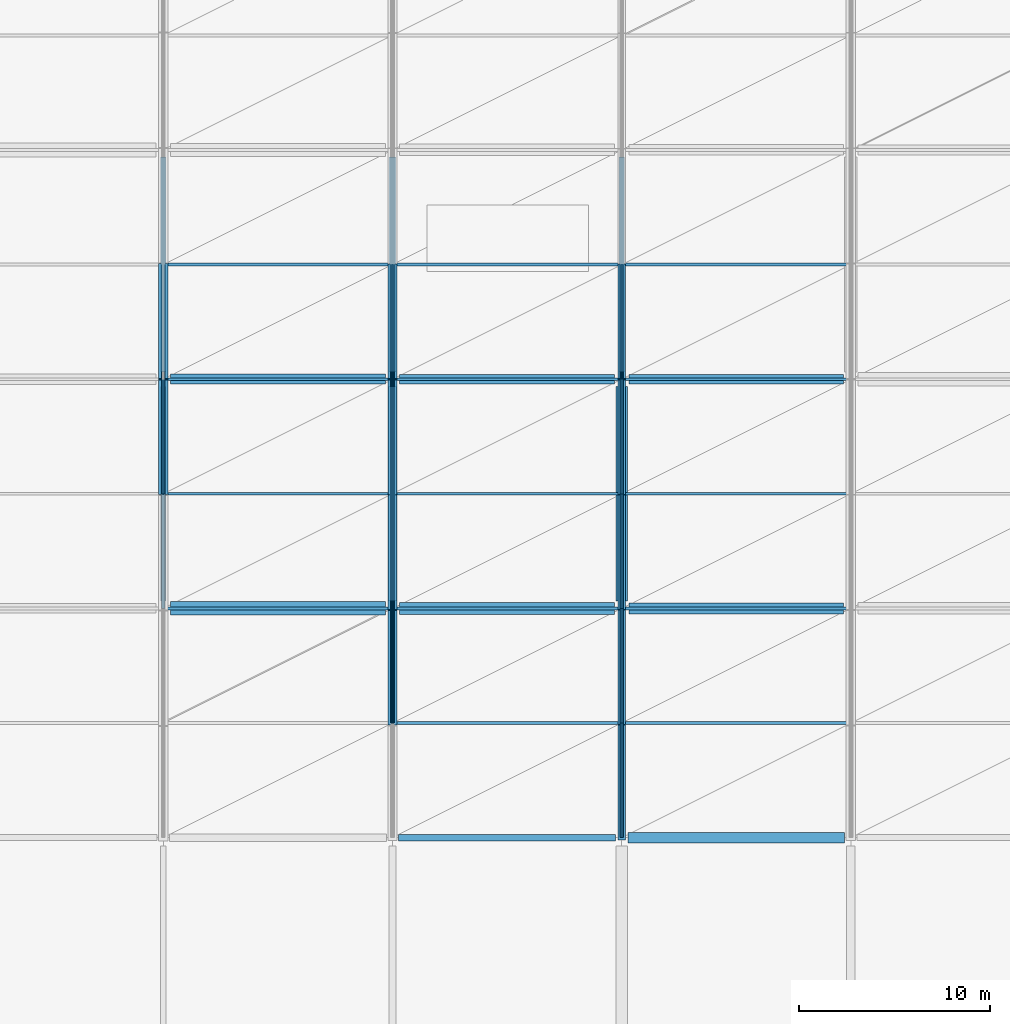
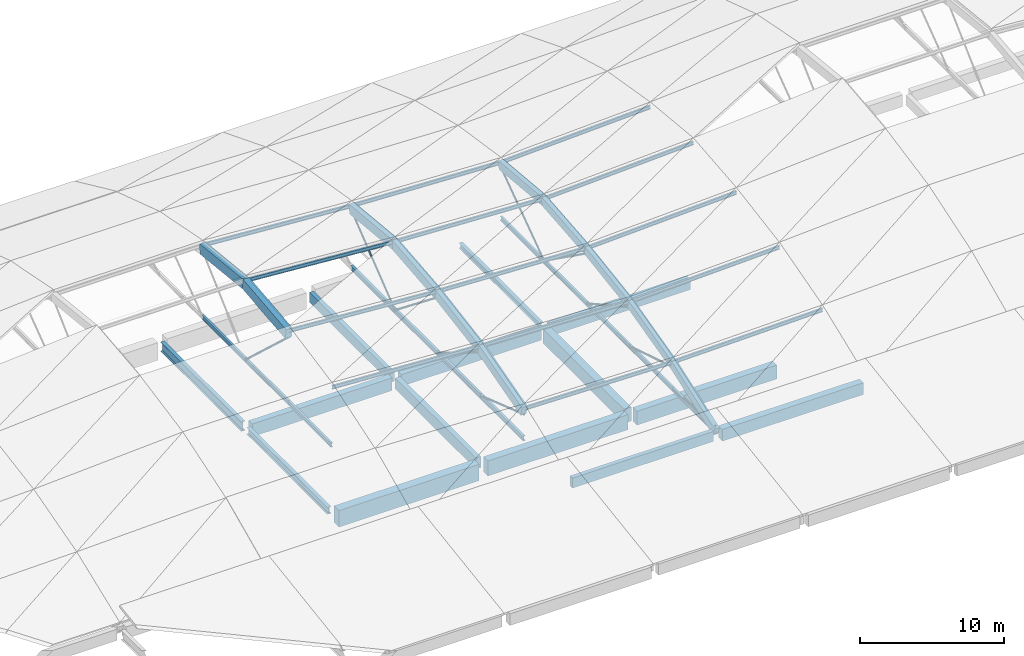
# One storey, part 11 of 23: 39 beams, 22 members.
"""IFC4 building model written with IfcOpenShell, lengths in metres."""

from ifc_helpers import new_model, si_unit, direction, frame, origin, origin_2d, place, context, subcontext, project, spatial, rectangle, hollow_circle, i_section, extrude, material, material_profile, profile_set, type_object, element, save


model = new_model("IFC4")

# Units and contexts
model_context = context("Model", 3, precision=1e-05, world=origin(), true_north=direction((0.0, 1.0)))
body_context = subcontext(model_context, "Body", "Model", "MODEL_VIEW")
ifc_project = project(units=[si_unit("LENGTHUNIT", "METRE"), si_unit("AREAUNIT", "SQUARE_METRE"), si_unit("VOLUMEUNIT", "CUBIC_METRE"), si_unit("PLANEANGLEUNIT", "RADIAN"), si_unit("MASSUNIT", "GRAM", prefix="KILO")], contexts=[model_context])

# Site, building, storey
site_placement = place(None, origin())
site = spatial("IfcSite", under=ifc_project, at=site_placement, CompositionType="ELEMENT")
building_placement = place(site_placement, origin())
building = spatial("IfcBuilding", under=site, at=building_placement, Name="Kamomehara Wholesale Market", CompositionType="ELEMENT")
storey_placement = place(building_placement, frame((0.0, 0.0, 21.0)))
storey = spatial("IfcBuildingStorey", under=building, at=storey_placement, Name="RF", CompositionType="ELEMENT", Elevation=21.0)

# Beams
ifc_material_1 = material(Name="Precast concrete Fc45 (C40/50)", Category="concrete")
ifc_material_profile_1 = material_profile(ifc_material_1, rectangle(XDim=0.5, YDim=1.0, at=origin_2d()), Name="PC-GRD-500x1000")
ifc_profile_set_1 = profile_set([ifc_material_profile_1], Name="Precast concrete Fc45 (C40/50)")
beam_type_1 = type_object("IfcBeamType", Name="BM-PG1000", PredefinedType="T_BEAM", material=ifc_profile_set_1)
beam_1_placement = place(storey_placement, frame((108.375, 132.0, -15.221923828125), z_axis=(1.0, 0.0, 0.0), x_axis=(0.0, 1.0, 0.0)))
element("IfcBeam", 1, at=beam_1_placement, inside=storey, type_object=beam_type_1, Name="Beam PG-09 RF", PredefinedType="T_BEAM", context=body_context, shape_type="SweptSolid", body=[
    extrude(rectangle(XDim=0.5, YDim=1.0, at=origin_2d()), origin(), (0.0, 0.0, 1.0), 11.25),
])
ifc_material_2 = material(Name="Precast concrete Fc45 (C40/50)", Category="concrete")
ifc_material_profile_2 = material_profile(ifc_material_2, rectangle(XDim=0.52001953125, YDim=1.080078125, at=origin_2d()), Name="PC-GRD-520x1080")
ifc_profile_set_2 = profile_set([ifc_material_profile_2], Name="Precast concrete Fc45 (C40/50)")
beam_type_2 = type_object("IfcBeamType", Name="BM-PG1080", PredefinedType="T_BEAM", material=ifc_profile_set_2)
beam_2_placement = place(storey_placement, frame((96.375, 132.0, -15.261962890625), z_axis=(1.0, 0.0, 0.0), x_axis=(0.0, 1.0, 0.0)))
element("IfcBeam", 2, at=beam_2_placement, inside=storey, type_object=beam_type_2, Name="Beam PG-15 RF", PredefinedType="T_BEAM", context=body_context, shape_type="SweptSolid", body=[
    extrude(rectangle(XDim=0.52001953125, YDim=1.080078125, at=origin_2d()), origin(), (0.0, 0.0, 1.0), 11.25),
])
ifc_material_3 = material(Name="Precast concrete Fc45 (C40/50)", Category="concrete")
ifc_material_profile_3 = material_profile(ifc_material_3, rectangle(XDim=0.580078125, YDim=1.179931640625, at=origin_2d()), Name="PC-GRD-580x1180")
ifc_profile_set_3 = profile_set([ifc_material_profile_3], Name="Precast concrete Fc45 (C40/50)")
beam_type_3 = type_object("IfcBeamType", Name="BM-PG1180", PredefinedType="T_BEAM", material=ifc_profile_set_3)
beam_3_placement = place(storey_placement, frame((120.375, 120.0, -15.33203125), z_axis=(1.0, 0.0, 0.0), x_axis=(0.0, 1.0, 0.0)))
element("IfcBeam", 3, at=beam_3_placement, inside=storey, type_object=beam_type_3, Name="Beam PG-14 RF", PredefinedType="T_BEAM", context=body_context, shape_type="SweptSolid", body=[
    extrude(rectangle(XDim=0.580078125, YDim=1.179931640625, at=origin_2d()), origin(), (0.0, 0.0, 1.0), 11.25),
])
ifc_material_4 = material(Name="Precast concrete Fc45 (C40/50)", Category="concrete")
ifc_material_profile_4 = material_profile(ifc_material_4, rectangle(XDim=0.60009765625, YDim=1.199951171875, at=origin_2d()), Name="PC-GRD-600x1200")
ifc_profile_set_4 = profile_set([ifc_material_profile_4], Name="Precast concrete Fc45 (C40/50)")
beam_type_4 = type_object("IfcBeamType", Name="BM-PG1200", PredefinedType="T_BEAM", material=ifc_profile_set_4)
beam_4_placement = place(storey_placement, frame((120.0, 120.375, -15.33203125), z_axis=(0.0, 1.0, 0.0), x_axis=(-1.0, 0.0, 0.0)))
element("IfcBeam", 4, at=beam_4_placement, inside=storey, type_object=beam_type_4, Name="Beam PG-05 RF", PredefinedType="T_BEAM", context=body_context, shape_type="SweptSolid", body=[
    extrude(rectangle(XDim=0.60009765625, YDim=1.199951171875, at=origin_2d()), origin(), (0.0, 0.0, 1.0), 11.25),
])
ifc_material_5 = material(Name="Precast concrete Fc45 (C40/50)", Category="concrete")
ifc_material_profile_5 = material_profile(ifc_material_5, rectangle(XDim=0.6201171875, YDim=1.280029296875, at=origin_2d()), Name="PC-GRD-620x1280")
ifc_profile_set_5 = profile_set([ifc_material_profile_5], Name="Precast concrete Fc45 (C40/50)")
beam_type_5 = type_object("IfcBeamType", Name="BM-PG1280", PredefinedType="T_BEAM", material=ifc_profile_set_5)
beam_5_placement = place(storey_placement, frame((108.375, 120.0, -15.39208984375), z_axis=(1.0, 0.0, 0.0), x_axis=(0.0, 1.0, 0.0)))
element("IfcBeam", 5, at=beam_5_placement, inside=storey, type_object=beam_type_5, Name="Beam PG-13 RF", PredefinedType="T_BEAM", context=body_context, shape_type="SweptSolid", body=[
    extrude(rectangle(XDim=0.6201171875, YDim=1.280029296875, at=origin_2d()), origin(), (0.0, 0.0, 1.0), 11.25),
])
ifc_material_6 = material(Name="Precast concrete Fc45 (C40/50)", Category="concrete")
ifc_material_profile_6 = material_profile(ifc_material_6, rectangle(XDim=0.699951171875, YDim=1.39990234375, at=origin_2d()), Name="PC-GRD-700x1400")
ifc_profile_set_6 = profile_set([ifc_material_profile_6], Name="Precast concrete Fc45 (C40/50)")
beam_type_6 = type_object("IfcBeamType", Name="BM-PG1400", PredefinedType="T_BEAM", material=ifc_profile_set_6)
beam_6_placement = place(storey_placement, frame((96.375, 120.0, -15.451904296875), z_axis=(1.0, 0.0, 0.0), x_axis=(0.0, 1.0, 0.0)))
element("IfcBeam", 6, at=beam_6_placement, inside=storey, type_object=beam_type_6, Name="Beam PG-02 RF", PredefinedType="T_BEAM", context=body_context, shape_type="SweptSolid", body=[
    extrude(rectangle(XDim=0.699951171875, YDim=1.39990234375, at=origin_2d()), origin(), (0.0, 0.0, 1.0), 11.25),
])
ifc_material_7 = material(Name="Precast concrete Fc45 (C40/50)", Category="concrete")
ifc_material_profile_7 = material_profile(ifc_material_7, rectangle(XDim=0.5, YDim=0.89990234375, at=origin_2d()), Name="PC-GRD-500x900")
ifc_profile_set_7 = profile_set([ifc_material_profile_7], Name="Precast concrete Fc45 (C40/50)")
beam_type_7 = type_object("IfcBeamType", Name="BM-PG900", PredefinedType="T_BEAM", material=ifc_profile_set_7)
beam_7_placement = place(storey_placement, frame((120.375, 132.0, -15.181884765625), z_axis=(1.0, 0.0, 0.0), x_axis=(0.0, 1.0, 0.0)))
element("IfcBeam", 7, at=beam_7_placement, inside=storey, type_object=beam_type_7, Name="Beam PG-10 RF", PredefinedType="T_BEAM", context=body_context, shape_type="SweptSolid", body=[
    extrude(rectangle(XDim=0.5, YDim=0.89990234375, at=origin_2d()), origin(), (0.0, 0.0, 1.0), 11.25),
])
ifc_material_8 = material(Name="Concrete Fc36 (C35/45)", Category="concrete")
ifc_material_profile_8 = material_profile(ifc_material_8, rectangle(XDim=0.39990234375, YDim=0.699951171875, at=origin_2d()), Name="RC-RIB-400x700")
ifc_profile_set_8 = profile_set([ifc_material_profile_8], Name="Concrete Fc36 (C35/45)")
beam_type_8 = type_object("IfcBeamType", Name="BM-RIB700", PredefinedType="BEAM", material=ifc_profile_set_8)
beam_8_placement = place(storey_placement, frame((120.0, 108.0, -9.219970703125), z_axis=(0.0, 0.942772001715, 0.333438079383), x_axis=(-1.0, 0.0, 0.0)))
element("IfcBeam", 8, at=beam_8_placement, inside=storey, type_object=beam_type_8, Name="Shell arch rib V1 41", PredefinedType="BEAM", context=body_context, shape_type="SweptSolid", body=[
    extrude(rectangle(XDim=0.39990234375, YDim=0.699951171875, at=origin_2d()), origin(), (0.0, 0.0, 1.0), 6.3642578125),
])
beam_9_placement = place(storey_placement, frame((120.0, 114.0, -7.097900390625), z_axis=(0.0, 0.969573603091, 0.244799975878), x_axis=(-1.0, 0.0, 0.0)))
element("IfcBeam", 9, at=beam_9_placement, inside=storey, type_object=beam_type_8, Name="Shell arch rib V1 42", PredefinedType="BEAM", context=body_context, shape_type="SweptSolid", body=[
    extrude(rectangle(XDim=0.39990234375, YDim=0.699951171875, at=origin_2d()), origin(), (0.0, 0.0, 1.0), 6.188232421875),
])
beam_10_placement = place(storey_placement, frame((120.0, 120.0, -5.5830078125), z_axis=(0.0, 0.988695452542, 0.149937660792), x_axis=(-1.0, 0.0, 0.0)))
element("IfcBeam", 10, at=beam_10_placement, inside=storey, type_object=beam_type_8, Name="Shell arch rib V1 43", PredefinedType="BEAM", context=body_context, shape_type="SweptSolid", body=[
    extrude(rectangle(XDim=0.39990234375, YDim=0.699951171875, at=origin_2d()), origin(), (0.0, 0.0, 1.0), 6.068603515625),
])
for number, where, z_axis, x_axis, name in (
    (11, (120.0, 126.0, -4.673095703125), (0.0, 0.99577984843, 0.091774143746), (-1.0, 0.0, 0.0), "Shell arch rib V1 44"),
    (12, (120.0, 132.0, -4.1201171875), (0.0, 0.99577984843, -0.091774143746), (-1.0, 0.0, 0.0), "Shell arch rib V1 45"),
):
    element("IfcBeam", number, at=place(storey_placement, frame(where, z_axis=z_axis, x_axis=x_axis)), inside=storey, type_object=beam_type_8, Name=name, PredefinedType="BEAM", context=body_context, shape_type="SweptSolid", body=[
        extrude(rectangle(XDim=0.39990234375, YDim=0.699951171875, at=origin_2d()), origin(), (0.0, 0.0, 1.0), 6.025390625),
    ])
ifc_material_9 = material(Name="Concrete Fc36 (C35/45)", Category="concrete")
ifc_material_profile_9 = material_profile(ifc_material_9, rectangle(XDim=0.449951171875, YDim=0.800048828125, at=origin_2d()), Name="RC-RIB-450x800")
ifc_profile_set_9 = profile_set([ifc_material_profile_9], Name="Concrete Fc36 (C35/45)")
beam_type_9 = type_object("IfcBeamType", Name="BM-RIB800", PredefinedType="BEAM", material=ifc_profile_set_9)
beam_11_placement = place(storey_placement, frame((108.0, 114.0, -6.906005859375), z_axis=(0.0, 0.962630519631, 0.270818172719), x_axis=(-1.0, 0.0, 0.0)))
element("IfcBeam", 13, at=beam_11_placement, inside=storey, type_object=beam_type_9, Name="Shell arch rib V1 34", PredefinedType="BEAM", context=body_context, shape_type="SweptSolid", body=[
    extrude(rectangle(XDim=0.449951171875, YDim=0.800048828125, at=origin_2d()), origin(), (0.0, 0.0, 1.0), 6.23291015625),
])
beam_12_placement = place(storey_placement, frame((108.0, 120.0, -5.218017578125), z_axis=(0.0, 0.986046918552, 0.166467637739), x_axis=(-1.0, 0.0, 0.0)))
element("IfcBeam", 14, at=beam_12_placement, inside=storey, type_object=beam_type_9, Name="Shell arch rib V1 35", PredefinedType="BEAM", context=body_context, shape_type="SweptSolid", body=[
    extrude(rectangle(XDim=0.449951171875, YDim=0.800048828125, at=origin_2d()), origin(), (0.0, 0.0, 1.0), 6.0849609375),
])
for number, where, z_axis, x_axis, name in (
    (15, (108.0, 126.0, -4.205078125), (0.0, 0.995230144207, 0.097554907934), (-1.0, 0.0, 0.0), "Shell arch rib V1 36"),
    (16, (108.0, 132.0, -3.616943359375), (0.0, 0.995230144207, -0.097554907934), (-1.0, 0.0, 0.0), "Shell arch rib V1 37"),
):
    element("IfcBeam", number, at=place(storey_placement, frame(where, z_axis=z_axis, x_axis=x_axis)), inside=storey, type_object=beam_type_9, Name=name, PredefinedType="BEAM", context=body_context, shape_type="SweptSolid", body=[
        extrude(rectangle(XDim=0.449951171875, YDim=0.800048828125, at=origin_2d()), origin(), (0.0, 0.0, 1.0), 6.02880859375),
    ])
ifc_material_10 = material(Name="Concrete Fc36 (C35/45)", Category="concrete")
ifc_material_profile_10 = material_profile(ifc_material_10, rectangle(XDim=0.5, YDim=0.85009765625, at=origin_2d()), Name="RC-RIB-500x850")
ifc_profile_set_10 = profile_set([ifc_material_profile_10], Name="Concrete Fc36 (C35/45)")
beam_type_10 = type_object("IfcBeamType", Name="BM-RIB850", PredefinedType="BEAM", material=ifc_profile_set_10)
for number, where, z_axis, x_axis, name in (
    (17, (96.0, 126.0, -3.39208984375), (0.0, 0.994288319379, 0.106727400168), (-1.0, 0.0, 0.0), "Shell arch rib V1 28"),
    (18, (96.0, 132.0, -2.748046875), (0.0, 0.994288319379, -0.106727400168), (-1.0, 0.0, 0.0), "Shell arch rib V1 29"),
):
    element("IfcBeam", number, at=place(storey_placement, frame(where, z_axis=z_axis, x_axis=x_axis)), inside=storey, type_object=beam_type_10, Name=name, PredefinedType="BEAM", context=body_context, shape_type="SweptSolid", body=[
        extrude(rectangle(XDim=0.5, YDim=0.85009765625, at=origin_2d()), origin(), (0.0, 0.0, 1.0), 6.034423828125),
    ])
ifc_material_11 = material(Name="Concrete Fc36 (C35/45)", Category="concrete")
ifc_material_profile_11 = material_profile(ifc_material_11, rectangle(XDim=0.550048828125, YDim=1.0, at=origin_2d()), Name="RC-SEB-550x1000")
ifc_profile_set_11 = profile_set([ifc_material_profile_11], Name="Concrete Fc36 (C35/45)")
beam_type_11 = type_object("IfcBeamType", Name="BM-SEB1000-EXT", PredefinedType="SPANDREL", material=ifc_profile_set_11)
beam_13_placement = place(storey_placement, frame((120.324951171875, 108.0, -9.5), z_axis=(1.0, 0.0, 0.0), x_axis=(0.0, 1.0, 0.0)))
element("IfcBeam", 19, at=beam_13_placement, inside=storey, type_object=beam_type_11, Name="Beam SEB-03E RF", PredefinedType="SPANDREL", context=body_context, shape_type="SweptSolid", body=[
    extrude(rectangle(XDim=0.550048828125, YDim=1.0, at=origin_2d()), origin(), (0.0, 0.0, 1.0), 11.35009765625),
])
ifc_material_12 = material(Name="Precast concrete Fc45 (C40/50)", Category="concrete")
ifc_material_profile_12 = material_profile(ifc_material_12, rectangle(XDim=0.35009765625, YDim=0.85009765625, at=origin_2d()), Name="PC-SPN-350x850")
ifc_profile_set_12 = profile_set([ifc_material_profile_12], Name="Precast concrete Fc45 (C40/50)")
beam_type_12 = type_object("IfcBeamType", Name="BM-SPN850-EXT", PredefinedType="SPANDREL", material=ifc_profile_set_12)
beam_14_placement = place(storey_placement, frame((108.0, 132.375, -15.14697265625), z_axis=(0.0, 1.0, 0.0), x_axis=(-1.0, 0.0, 0.0)))
element("IfcBeam", 20, at=beam_14_placement, inside=storey, type_object=beam_type_12, Name="Beam SPN-02E RF", PredefinedType="SPANDREL", context=body_context, shape_type="SweptSolid", body=[
    extrude(rectangle(XDim=0.35009765625, YDim=0.85009765625, at=origin_2d()), origin(), (0.0, 0.0, 1.0), 11.25),
])
beam_15_placement = place(storey_placement, frame((108.324951171875, 108.0, -9.425048828125), z_axis=(1.0, 0.0, 0.0), x_axis=(0.0, 1.0, 0.0)))
element("IfcBeam", 21, at=beam_15_placement, inside=storey, type_object=beam_type_12, Name="Beam SPN-02E RF", PredefinedType="SPANDREL", context=body_context, shape_type="SweptSolid", body=[
    extrude(rectangle(XDim=0.35009765625, YDim=0.85009765625, at=origin_2d()), origin(), (0.0, 0.0, 1.0), 11.35009765625),
])
ifc_material_13 = material(Name="Precast concrete Fc45 (C40/50)", Category="concrete")
ifc_material_profile_13 = material_profile(ifc_material_13, rectangle(XDim=0.39990234375, YDim=0.949951171875, at=origin_2d()), Name="PC-SPN-400x950")
ifc_profile_set_13 = profile_set([ifc_material_profile_13], Name="Precast concrete Fc45 (C40/50)")
beam_type_13 = type_object("IfcBeamType", Name="BM-SPN950-EXT", PredefinedType="SPANDREL", material=ifc_profile_set_13)
beam_16_placement = place(storey_placement, frame((108.0, 120.375, -15.197021484375), z_axis=(0.0, 1.0, 0.0), x_axis=(-1.0, 0.0, 0.0)))
element("IfcBeam", 22, at=beam_16_placement, inside=storey, type_object=beam_type_13, Name="Beam SPN-01E RF", PredefinedType="SPANDREL", context=body_context, shape_type="SweptSolid", body=[
    extrude(rectangle(XDim=0.39990234375, YDim=0.949951171875, at=origin_2d()), origin(), (0.0, 0.0, 1.0), 11.25),
])
ifc_material_14 = material(Name="Steel SN400B", Category="steel")
ifc_material_profile_14 = material_profile(ifc_material_14, i_section(OverallWidth=0.14990234375, OverallDepth=0.300048828125, WebThickness=0.006591796875, FlangeThickness=0.009033203125, FilletRadius=0.012939453125, at=origin_2d()), Name="H-300x150x6.5x9")
ifc_profile_set_14 = profile_set([ifc_material_profile_14], Name="Steel SN400B")
beam_type_14 = type_object("IfcBeamType", Name="BM-ST-H300", PredefinedType="JOIST", material=ifc_profile_set_14)
beam_17_placement = place(storey_placement, frame((96.0, 120.0, -4.3369140625), z_axis=(0.998439658361, 0.0, -0.055841280535), x_axis=(0.0, 1.0, 0.0)))
element("IfcBeam", 23, at=beam_17_placement, inside=storey, type_object=beam_type_14, Name="Shell longitudinal purlin V1 23", PredefinedType="JOIST", context=body_context, shape_type="SweptSolid", body=[
    extrude(i_section(OverallWidth=0.14990234375, OverallDepth=0.300048828125, WebThickness=0.006591796875, FlangeThickness=0.009033203125, FilletRadius=0.012939453125, at=origin_2d()), origin(), (0.0, 0.0, 1.0), 12.018798828125),
])
beam_18_placement = place(storey_placement, frame((96.0, 126.0, -3.156982421875), z_axis=(0.997569756374, 0.0, -0.069674824496), x_axis=(0.0, 1.0, 0.0)))
element("IfcBeam", 24, at=beam_18_placement, inside=storey, type_object=beam_type_14, Name="Shell longitudinal purlin V1 24", PredefinedType="JOIST", context=body_context, shape_type="SweptSolid", body=[
    extrude(i_section(OverallWidth=0.14990234375, OverallDepth=0.300048828125, WebThickness=0.006591796875, FlangeThickness=0.009033203125, FilletRadius=0.012939453125, at=origin_2d()), origin(), (0.0, 0.0, 1.0), 12.029296875),
])
beam_19_placement = place(storey_placement, frame((96.0, 132.0, -2.512939453125), z_axis=(0.997236109241, 0.0, -0.074297660971), x_axis=(0.0, 1.0, 0.0)))
element("IfcBeam", 25, at=beam_19_placement, inside=storey, type_object=beam_type_14, Name="Shell longitudinal purlin V1 25", PredefinedType="JOIST", context=body_context, shape_type="SweptSolid", body=[
    extrude(i_section(OverallWidth=0.14990234375, OverallDepth=0.300048828125, WebThickness=0.006591796875, FlangeThickness=0.009033203125, FilletRadius=0.012939453125, at=origin_2d()), origin(), (0.0, 0.0, 1.0), 12.033203125),
])
beam_20_placement = place(storey_placement, frame((96.0, 138.0, -3.156982421875), z_axis=(0.997569756374, 0.0, -0.069674824496), x_axis=(0.0, 1.0, 0.0)))
element("IfcBeam", 26, at=beam_20_placement, inside=storey, type_object=beam_type_14, Name="Shell longitudinal purlin V1 26", PredefinedType="JOIST", context=body_context, shape_type="SweptSolid", body=[
    extrude(i_section(OverallWidth=0.14990234375, OverallDepth=0.300048828125, WebThickness=0.006591796875, FlangeThickness=0.009033203125, FilletRadius=0.012939453125, at=origin_2d()), origin(), (0.0, 0.0, 1.0), 12.029296875),
])
beam_21_placement = place(storey_placement, frame((108.0, 114.0, -6.696044921875), z_axis=(0.9997968099, 0.0, -0.020157849907), x_axis=(0.0, 1.0, 0.0)))
element("IfcBeam", 27, at=beam_21_placement, inside=storey, type_object=beam_type_14, Name="Shell longitudinal purlin V1 29", PredefinedType="JOIST", context=body_context, shape_type="SweptSolid", body=[
    extrude(i_section(OverallWidth=0.14990234375, OverallDepth=0.300048828125, WebThickness=0.006591796875, FlangeThickness=0.009033203125, FilletRadius=0.012939453125, at=origin_2d()), origin(), (0.0, 0.0, 1.0), 12.00244140625),
])
beam_22_placement = place(storey_placement, frame((108.0, 120.0, -5.008056640625), z_axis=(0.999402420026, 0.0, -0.034565920289), x_axis=(0.0, 1.0, 0.0)))
element("IfcBeam", 28, at=beam_22_placement, inside=storey, type_object=beam_type_14, Name="Shell longitudinal purlin V1 30", PredefinedType="JOIST", context=body_context, shape_type="SweptSolid", body=[
    extrude(i_section(OverallWidth=0.14990234375, OverallDepth=0.300048828125, WebThickness=0.006591796875, FlangeThickness=0.009033203125, FilletRadius=0.012939453125, at=origin_2d()), origin(), (0.0, 0.0, 1.0), 12.007080078125),
])
beam_23_placement = place(storey_placement, frame((108.0, 126.0, -3.9951171875), z_axis=(0.999070256927, 0.0, -0.04311173533), x_axis=(0.0, 1.0, 0.0)))
element("IfcBeam", 29, at=beam_23_placement, inside=storey, type_object=beam_type_14, Name="Shell longitudinal purlin V1 31", PredefinedType="JOIST", context=body_context, shape_type="SweptSolid", body=[
    extrude(i_section(OverallWidth=0.14990234375, OverallDepth=0.300048828125, WebThickness=0.006591796875, FlangeThickness=0.009033203125, FilletRadius=0.012939453125, at=origin_2d()), origin(), (0.0, 0.0, 1.0), 12.01123046875),
])
beam_24_placement = place(storey_placement, frame((108.0, 132.0, -3.406982421875), z_axis=(0.998939933695, 0.0, -0.046032693478), x_axis=(0.0, 1.0, 0.0)))
element("IfcBeam", 30, at=beam_24_placement, inside=storey, type_object=beam_type_14, Name="Shell longitudinal purlin V1 32", PredefinedType="JOIST", context=body_context, shape_type="SweptSolid", body=[
    extrude(i_section(OverallWidth=0.14990234375, OverallDepth=0.300048828125, WebThickness=0.006591796875, FlangeThickness=0.009033203125, FilletRadius=0.012939453125, at=origin_2d()), origin(), (0.0, 0.0, 1.0), 12.0126953125),
])
beam_25_placement = place(storey_placement, frame((108.0, 138.0, -3.9951171875), z_axis=(0.999070256927, 0.0, -0.04311173533), x_axis=(0.0, 1.0, 0.0)))
element("IfcBeam", 31, at=beam_25_placement, inside=storey, type_object=beam_type_14, Name="Shell longitudinal purlin V1 33", PredefinedType="JOIST", context=body_context, shape_type="SweptSolid", body=[
    extrude(i_section(OverallWidth=0.14990234375, OverallDepth=0.300048828125, WebThickness=0.006591796875, FlangeThickness=0.009033203125, FilletRadius=0.012939453125, at=origin_2d()), origin(), (0.0, 0.0, 1.0), 12.01123046875),
])
beam_26_placement = place(storey_placement, frame((120.0, 114.0, -6.93798828125), z_axis=(0.9997968099, 0.0, 0.020157849907), x_axis=(0.0, 1.0, 0.0)))
element("IfcBeam", 32, at=beam_26_placement, inside=storey, type_object=beam_type_14, Name="Shell longitudinal purlin V1 36", PredefinedType="JOIST", context=body_context, shape_type="SweptSolid", body=[
    extrude(i_section(OverallWidth=0.14990234375, OverallDepth=0.300048828125, WebThickness=0.006591796875, FlangeThickness=0.009033203125, FilletRadius=0.012939453125, at=origin_2d()), origin(), (0.0, 0.0, 1.0), 12.00244140625),
])
beam_27_placement = place(storey_placement, frame((120.0, 120.0, -5.423095703125), z_axis=(0.999402420026, 0.0, 0.034565920289), x_axis=(0.0, 1.0, 0.0)))
element("IfcBeam", 33, at=beam_27_placement, inside=storey, type_object=beam_type_14, Name="Shell longitudinal purlin V1 37", PredefinedType="JOIST", context=body_context, shape_type="SweptSolid", body=[
    extrude(i_section(OverallWidth=0.14990234375, OverallDepth=0.300048828125, WebThickness=0.006591796875, FlangeThickness=0.009033203125, FilletRadius=0.012939453125, at=origin_2d()), origin(), (0.0, 0.0, 1.0), 12.007080078125),
])
beam_28_placement = place(storey_placement, frame((120.0, 126.0, -4.512939453125), z_axis=(0.999070256927, 0.0, 0.04311173533), x_axis=(0.0, 1.0, 0.0)))
element("IfcBeam", 34, at=beam_28_placement, inside=storey, type_object=beam_type_14, Name="Shell longitudinal purlin V1 38", PredefinedType="JOIST", context=body_context, shape_type="SweptSolid", body=[
    extrude(i_section(OverallWidth=0.14990234375, OverallDepth=0.300048828125, WebThickness=0.006591796875, FlangeThickness=0.009033203125, FilletRadius=0.012939453125, at=origin_2d()), origin(), (0.0, 0.0, 1.0), 12.01123046875),
])
beam_29_placement = place(storey_placement, frame((120.0, 132.0, -3.9599609375), z_axis=(0.998939933695, 0.0, 0.046032693478), x_axis=(0.0, 1.0, 0.0)))
element("IfcBeam", 35, at=beam_29_placement, inside=storey, type_object=beam_type_14, Name="Shell longitudinal purlin V1 39", PredefinedType="JOIST", context=body_context, shape_type="SweptSolid", body=[
    extrude(i_section(OverallWidth=0.14990234375, OverallDepth=0.300048828125, WebThickness=0.006591796875, FlangeThickness=0.009033203125, FilletRadius=0.012939453125, at=origin_2d()), origin(), (0.0, 0.0, 1.0), 12.0126953125),
])
beam_30_placement = place(storey_placement, frame((120.0, 138.0, -4.512939453125), z_axis=(0.999070256927, 0.0, 0.04311173533), x_axis=(0.0, 1.0, 0.0)))
element("IfcBeam", 36, at=beam_30_placement, inside=storey, type_object=beam_type_14, Name="Shell longitudinal purlin V1 40", PredefinedType="JOIST", context=body_context, shape_type="SweptSolid", body=[
    extrude(i_section(OverallWidth=0.14990234375, OverallDepth=0.300048828125, WebThickness=0.006591796875, FlangeThickness=0.009033203125, FilletRadius=0.012939453125, at=origin_2d()), origin(), (0.0, 0.0, 1.0), 12.01123046875),
])
ifc_material_15 = material(Name="Steel SN490B", Category="steel")
ifc_material_profile_15 = material_profile(ifc_material_15, i_section(OverallWidth=0.300048828125, OverallDepth=0.43994140625, WebThickness=0.010986328125, FlangeThickness=0.01806640625, FilletRadius=0.01806640625, at=origin_2d()), Name="H-440x300x11x18")
ifc_profile_set_15 = profile_set([ifc_material_profile_15], Name="Steel SN490B")
beam_type_15 = type_object("IfcBeamType", Name="BM-ST-H440", PredefinedType="BEAM", material=ifc_profile_set_15)
beam_31_placement = place(storey_placement, frame((120.0, 132.375, -14.951904296875), z_axis=(0.0, 1.0, 0.0), x_axis=(-1.0, 0.0, 0.0)))
element("IfcBeam", 37, at=beam_31_placement, inside=storey, type_object=beam_type_15, Name="Beam SG-11 RF", PredefinedType="BEAM", context=body_context, shape_type="SweptSolid", body=[
    extrude(i_section(OverallWidth=0.300048828125, OverallDepth=0.43994140625, WebThickness=0.010986328125, FlangeThickness=0.01806640625, FilletRadius=0.01806640625, at=origin_2d()), origin(), (0.0, 0.0, 1.0), 11.25),
])
ifc_material_16 = material(Name="Steel SN490B", Category="steel")
ifc_material_profile_16 = material_profile(ifc_material_16, i_section(OverallWidth=0.300048828125, OverallDepth=0.58203125, WebThickness=0.011962890625, FlangeThickness=0.01708984375, FilletRadius=0.02197265625, at=origin_2d()), Name="H-582x300x12x17")
ifc_profile_set_16 = profile_set([ifc_material_profile_16], Name="Steel SN490B")
beam_type_16 = type_object("IfcBeamType", Name="BM-ST-H582", PredefinedType="BEAM", material=ifc_profile_set_16)
beam_32_placement = place(storey_placement, frame((96.0, 120.375, -15.032958984375), z_axis=(0.0, 1.0, 0.0), x_axis=(-1.0, 0.0, 0.0)))
element("IfcBeam", 38, at=beam_32_placement, inside=storey, type_object=beam_type_16, Name="Beam SG-10 RF", PredefinedType="BEAM", context=body_context, shape_type="SweptSolid", body=[
    extrude(i_section(OverallWidth=0.300048828125, OverallDepth=0.58203125, WebThickness=0.011962890625, FlangeThickness=0.01708984375, FilletRadius=0.02197265625, at=origin_2d()), origin(), (0.0, 0.0, 1.0), 11.25),
])
ifc_material_17 = material(Name="Steel SN490B", Category="steel")
ifc_material_profile_17 = material_profile(ifc_material_17, i_section(OverallWidth=0.300048828125, OverallDepth=0.800048828125, WebThickness=0.013916015625, FlangeThickness=0.02587890625, FilletRadius=0.02392578125, at=origin_2d()), Name="H-800x300x14x26")
ifc_profile_set_17 = profile_set([ifc_material_profile_17], Name="Steel SN490B")
beam_type_17 = type_object("IfcBeamType", Name="BM-ST-H800", PredefinedType="BEAM", material=ifc_profile_set_17)
beam_33_placement = place(storey_placement, frame((96.0, 132.375, -15.14208984375), z_axis=(0.0, 1.0, 0.0), x_axis=(-1.0, 0.0, 0.0)))
element("IfcBeam", 39, at=beam_33_placement, inside=storey, type_object=beam_type_17, Name="Beam SG-02 RF", PredefinedType="BEAM", context=body_context, shape_type="SweptSolid", body=[
    extrude(i_section(OverallWidth=0.300048828125, OverallDepth=0.800048828125, WebThickness=0.013916015625, FlangeThickness=0.02587890625, FilletRadius=0.02392578125, at=origin_2d()), origin(), (0.0, 0.0, 1.0), 11.25),
])

# Members
ifc_material_18 = material(Name="Steel SN400B", Category="steel")
ifc_material_profile_18 = material_profile(ifc_material_18, hollow_circle(Radius=0.06982421875, WallThickness=0.006591796875, at=origin_2d()), Name="CHS-139.8x6.6")
ifc_profile_set_18 = profile_set([ifc_material_profile_18], Name="Steel SN400B")
member_type_1 = type_object("IfcMemberType", Name="MEM-BR-CHS139", PredefinedType="BRACE", material=ifc_profile_set_18)
member_1_placement = place(storey_placement, frame((108.0, 132.0, -9.25), z_axis=(0.0, 0.784356366343, 0.620310479177), x_axis=(-1.0, 0.0, 0.0)))
element("IfcMember", 40, at=member_1_placement, inside=storey, type_object=member_type_1, Name="Arch truss diagonal B V1 37", PredefinedType="BRACE", context=body_context, shape_type="SweptSolid", body=[
    extrude(hollow_circle(Radius=0.06982421875, WallThickness=0.006591796875, at=origin_2d()), origin(), (0.0, 0.0, 1.0), 7.649658203125),
])
member_2_placement = place(storey_placement, frame((120.0, 132.0, -9.25), z_axis=(0.0, 0.814286072286, 0.580463773616), x_axis=(-1.0, 0.0, 0.0)))
element("IfcMember", 41, at=member_2_placement, inside=storey, type_object=member_type_1, Name="Arch truss diagonal B V1 45", PredefinedType="BRACE", context=body_context, shape_type="SweptSolid", body=[
    extrude(hollow_circle(Radius=0.06982421875, WallThickness=0.006591796875, at=origin_2d()), origin(), (0.0, 0.0, 1.0), 7.368408203125),
])
ifc_material_19 = material(Name="Steel SN490B", Category="steel")
ifc_material_profile_19 = material_profile(ifc_material_19, hollow_circle(Radius=0.08251953125, WallThickness=0.007080078125, at=origin_2d()), Name="CHS-165.2x7.1")
ifc_profile_set_19 = profile_set([ifc_material_profile_19], Name="Steel SN490B")
member_type_2 = type_object("IfcMemberType", Name="MEM-BR-CHS165", PredefinedType="BRACE", material=ifc_profile_set_19)
member_3_placement = place(storey_placement, frame((96.0, 132.0, -9.25), z_axis=(0.0, -0.733605229533, 0.679575873028), x_axis=(1.0, 0.0, 0.0)))
element("IfcMember", 42, at=member_3_placement, inside=storey, type_object=member_type_2, Name="Arch truss diagonal A V1 28", PredefinedType="BRACE", context=body_context, shape_type="SweptSolid", body=[
    extrude(hollow_circle(Radius=0.08251953125, WallThickness=0.007080078125, at=origin_2d()), origin(), (0.0, 0.0, 1.0), 8.1787109375),
])
member_4_placement = place(storey_placement, frame((108.0, 120.0, -9.25), z_axis=(0.0, -0.94658288397, 0.322460608097), x_axis=(1.0, 0.0, 0.0)))
element("IfcMember", 43, at=member_4_placement, inside=storey, type_object=member_type_2, Name="Arch truss diagonal A V1 34", PredefinedType="BRACE", context=body_context, shape_type="SweptSolid", body=[
    extrude(hollow_circle(Radius=0.08251953125, WallThickness=0.007080078125, at=origin_2d()), origin(), (0.0, 0.0, 1.0), 6.338623046875),
])
member_5_placement = place(storey_placement, frame((108.0, 126.0, -9.25), z_axis=(0.0, -0.849145449836, 0.528159071704), x_axis=(1.0, 0.0, 0.0)))
element("IfcMember", 44, at=member_5_placement, inside=storey, type_object=member_type_2, Name="Arch truss diagonal A V1 35", PredefinedType="BRACE", context=body_context, shape_type="SweptSolid", body=[
    extrude(hollow_circle(Radius=0.08251953125, WallThickness=0.007080078125, at=origin_2d()), origin(), (0.0, 0.0, 1.0), 7.06591796875),
])
member_6_placement = place(storey_placement, frame((108.0, 132.0, -9.25), z_axis=(0.0, -0.784356366343, 0.620310479177), x_axis=(1.0, 0.0, 0.0)))
element("IfcMember", 45, at=member_6_placement, inside=storey, type_object=member_type_2, Name="Arch truss diagonal A V1 36", PredefinedType="BRACE", context=body_context, shape_type="SweptSolid", body=[
    extrude(hollow_circle(Radius=0.08251953125, WallThickness=0.007080078125, at=origin_2d()), origin(), (0.0, 0.0, 1.0), 7.649658203125),
])
member_7_placement = place(storey_placement, frame((120.0, 114.0, -9.25), z_axis=(0.0, -0.997786235602, 0.066502842363), x_axis=(1.0, 0.0, 0.0)))
element("IfcMember", 46, at=member_7_placement, inside=storey, type_object=member_type_2, Name="Arch truss diagonal A V1 41", PredefinedType="BRACE", context=body_context, shape_type="SweptSolid", body=[
    extrude(hollow_circle(Radius=0.08251953125, WallThickness=0.007080078125, at=origin_2d()), origin(), (0.0, 0.0, 1.0), 6.013427734375),
])
member_8_placement = place(storey_placement, frame((120.0, 120.0, -9.25), z_axis=(0.0, -0.955514660101, 0.294943612123), x_axis=(1.0, 0.0, 0.0)))
element("IfcMember", 47, at=member_8_placement, inside=storey, type_object=member_type_2, Name="Arch truss diagonal A V1 42", PredefinedType="BRACE", context=body_context, shape_type="SweptSolid", body=[
    extrude(hollow_circle(Radius=0.08251953125, WallThickness=0.007080078125, at=origin_2d()), origin(), (0.0, 0.0, 1.0), 6.279296875),
])
member_9_placement = place(storey_placement, frame((120.0, 126.0, -9.25), z_axis=(0.0, -0.87207545103, 0.489371441453), x_axis=(1.0, 0.0, 0.0)))
element("IfcMember", 48, at=member_9_placement, inside=storey, type_object=member_type_2, Name="Arch truss diagonal A V1 43", PredefinedType="BRACE", context=body_context, shape_type="SweptSolid", body=[
    extrude(hollow_circle(Radius=0.08251953125, WallThickness=0.007080078125, at=origin_2d()), origin(), (0.0, 0.0, 1.0), 6.880126953125),
])
member_10_placement = place(storey_placement, frame((120.0, 132.0, -9.25), z_axis=(0.0, -0.814286072286, 0.580463773616), x_axis=(1.0, 0.0, 0.0)))
element("IfcMember", 49, at=member_10_placement, inside=storey, type_object=member_type_2, Name="Arch truss diagonal A V1 44", PredefinedType="BRACE", context=body_context, shape_type="SweptSolid", body=[
    extrude(hollow_circle(Radius=0.08251953125, WallThickness=0.007080078125, at=origin_2d()), origin(), (0.0, 0.0, 1.0), 7.368408203125),
])
ifc_material_20 = material(Name="Steel SN490B", Category="steel")
ifc_material_profile_20 = material_profile(ifc_material_20, i_section(OverallWidth=0.175048828125, OverallDepth=0.35009765625, WebThickness=0.007080078125, FlangeThickness=0.010986328125, FilletRadius=0.012939453125, at=origin_2d()), Name="H-350x175x7x11")
ifc_profile_set_20 = profile_set([ifc_material_profile_20], Name="Steel SN490B")
member_type_3 = type_object("IfcMemberType", Name="MEM-CH-H350", PredefinedType="CHORD", material=ifc_profile_set_20)
for number, where, z_axis, x_axis, name in (
    (50, (96.0, 120.0, -9.25), (0.0, 1.0, 0.0), (-1.0, 0.0, 0.0), "Arch tie chord V1 27"),
    (51, (96.0, 126.0, -9.25), (0.0, 1.0, 0.0), (-1.0, 0.0, 0.0), "Arch tie chord V1 28"),
    (52, (96.0, 132.0, -9.25), (0.0, 1.0, 0.0), (-1.0, 0.0, 0.0), "Arch tie chord V1 29"),
    (53, (120.0, 108.0, -9.25), (0.0, 1.0, 0.0), (-1.0, 0.0, 0.0), "Arch tie chord V1 41"),
    (54, (120.0, 114.0, -9.25), (0.0, 1.0, 0.0), (-1.0, 0.0, 0.0), "Arch tie chord V1 42"),
    (55, (120.0, 120.0, -9.25), (0.0, 1.0, 0.0), (-1.0, 0.0, 0.0), "Arch tie chord V1 43"),
    (56, (120.0, 126.0, -9.25), (0.0, 1.0, 0.0), (-1.0, 0.0, 0.0), "Arch tie chord V1 44"),
    (57, (120.0, 132.0, -9.25), (0.0, 1.0, 0.0), (-1.0, 0.0, 0.0), "Arch tie chord V1 45"),
):
    element("IfcMember", number, at=place(storey_placement, frame(where, z_axis=z_axis, x_axis=x_axis)), inside=storey, type_object=member_type_3, Name=name, PredefinedType="CHORD", context=body_context, shape_type="SweptSolid", body=[
        extrude(i_section(OverallWidth=0.175048828125, OverallDepth=0.35009765625, WebThickness=0.007080078125, FlangeThickness=0.010986328125, FilletRadius=0.012939453125, at=origin_2d()), origin(), (0.0, 0.0, 1.0), 6.0),
    ])
ifc_material_21 = material(Name="Steel SN490B", Category="steel")
ifc_material_profile_21 = material_profile(ifc_material_21, i_section(OverallWidth=0.199951171875, OverallDepth=0.39990234375, WebThickness=0.008056640625, FlangeThickness=0.012939453125, FilletRadius=0.012939453125, at=origin_2d()), Name="H-400x200x8x13")
ifc_profile_set_21 = profile_set([ifc_material_profile_21], Name="Steel SN490B")
member_type_4 = type_object("IfcMemberType", Name="MEM-CH-H400", PredefinedType="CHORD", material=ifc_profile_set_21)
for number, where, z_axis, x_axis, name in (
    (58, (108.0, 114.0, -9.25), (0.0, 1.0, 0.0), (-1.0, 0.0, 0.0), "Arch tie chord V1 34"),
    (59, (108.0, 120.0, -9.25), (0.0, 1.0, 0.0), (-1.0, 0.0, 0.0), "Arch tie chord V1 35"),
    (60, (108.0, 126.0, -9.25), (0.0, 1.0, 0.0), (-1.0, 0.0, 0.0), "Arch tie chord V1 36"),
    (61, (108.0, 132.0, -9.25), (0.0, 1.0, 0.0), (-1.0, 0.0, 0.0), "Arch tie chord V1 37"),
):
    element("IfcMember", number, at=place(storey_placement, frame(where, z_axis=z_axis, x_axis=x_axis)), inside=storey, type_object=member_type_4, Name=name, PredefinedType="CHORD", context=body_context, shape_type="SweptSolid", body=[
        extrude(i_section(OverallWidth=0.199951171875, OverallDepth=0.39990234375, WebThickness=0.008056640625, FlangeThickness=0.012939453125, FilletRadius=0.012939453125, at=origin_2d()), origin(), (0.0, 0.0, 1.0), 6.0),
    ])

save(model, "model.ifc")
